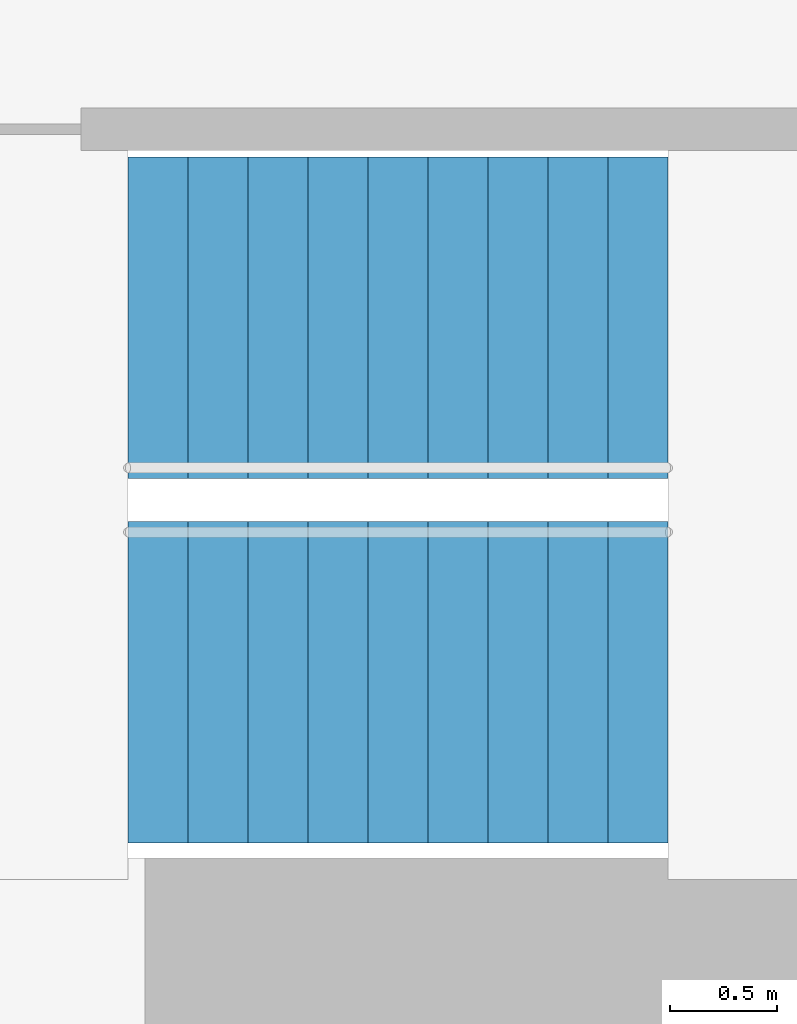
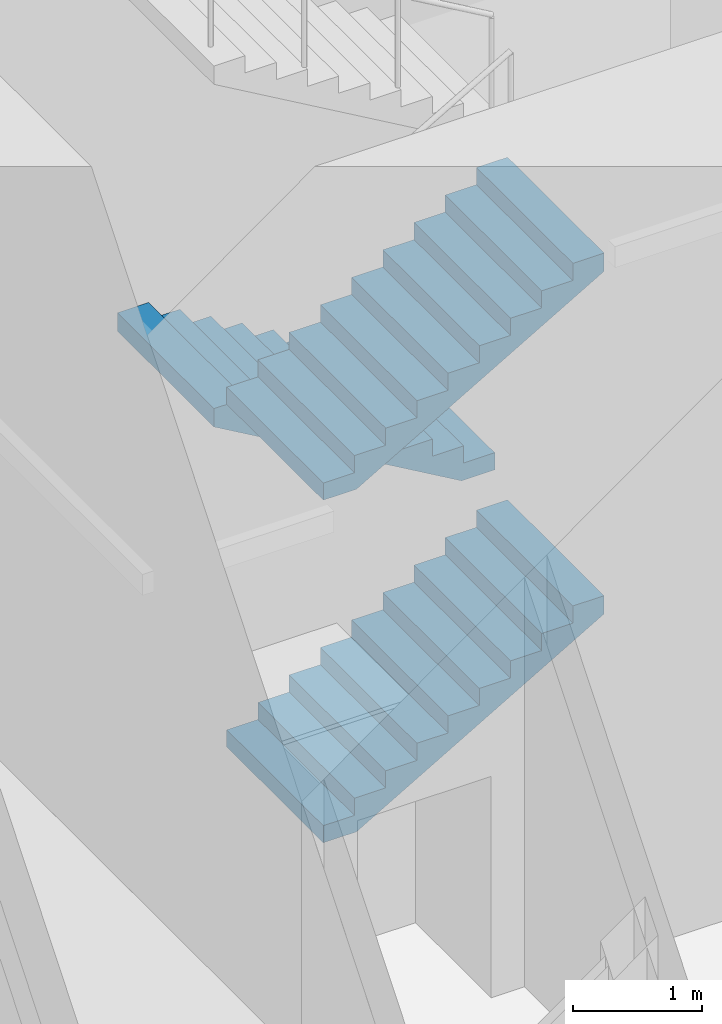
# One storey, part 26 of 47: 3 stair flights, 1 element without a shape of its own.
"""IFC4 building model written with IfcOpenShell, lengths in metres."""

from ifc_helpers import new_model, si_unit, direction, frame, origin, place, context, subcontext, project, spatial, triangles, material, type_object, element, aggregate, save


model = new_model("IFC4")

# Units and contexts
model_context = context("Model", 3, precision=1e-05, world=origin(), true_north=direction((0.0, 1.0)))
body_context = subcontext(model_context, "Body", "Model", "MODEL_VIEW")
ifc_project = project(units=[si_unit("LENGTHUNIT", "METRE"), si_unit("AREAUNIT", "SQUARE_METRE"), si_unit("VOLUMEUNIT", "CUBIC_METRE"), si_unit("PLANEANGLEUNIT", "RADIAN"), si_unit("MASSUNIT", "GRAM", prefix="KILO")], contexts=[model_context])

# Site, building, storey
site_placement = place(None, origin())
site = spatial("IfcSite", under=ifc_project, at=site_placement, CompositionType="ELEMENT")
building_placement = place(site_placement, origin())
building = spatial("IfcBuilding", under=site, at=building_placement, Name="Lantaw Convention Tower", CompositionType="ELEMENT")
storey_placement = place(building_placement, origin())
storey = spatial("IfcBuildingStorey", under=building, at=storey_placement, Name="L00", CompositionType="ELEMENT", Elevation=0.0)

# Stair, stair flights
ifc_material = material(Name="Concrete C35/45", Category="concrete")
stair_type = type_object("IfcStairType", Name="Exit stair 1500 riser 162.5 in 4 flights", PredefinedType="HALF_TURN_STAIR", material=ifc_material)
stair_placement = place(storey_placement, origin())
stair = element("IfcStair", 1, at=stair_placement, inside=storey, type_object=stair_type, Name="Exit stair S1 L00", PredefinedType="HALF_TURN_STAIR")
stair_flight_type = type_object("IfcStairFlightType", Name="Stair flight 1500 riser 162.5", PredefinedType="STRAIGHT", material=ifc_material)
stair_flight_1_placement = place(storey_placement, frame((-10.580078125, -5.97998046875, 0.0), z_axis=(0.0, 0.0, 1.0), x_axis=(1.0, 0.0, 0.0)))
stair_flight_1 = element("IfcStairFlight", 2, at=stair_flight_1_placement, type_object=stair_flight_type, Name="S1 flight 1", NumberOfRisers=10, NumberOfTreads=9, PredefinedType="STRAIGHT", RiserHeight=0.1625, TreadLength=0.28, context=body_context, shape_type="Tessellation", body=[
    triangles([(0.0, 0.75, 0.0), (0.0, 0.75, 0.1625), (0.28, 0.75, 0.0), (0.28, 0.75, 0.1625), (0.28, 0.75, 0.325), (0.2986404620805123, 0.75, 0.0), (0.2986404620805123, 0.75, 0.325), (0.56, 0.75, 0.15168187468541697), (0.56, 0.75, 0.325), (0.56, 0.75, 0.48750000000000004), (0.8400000000000001, 0.75, 0.314181874685417), (0.8400000000000001, 0.75, 0.48750000000000004), (0.8400000000000001, 0.75, 0.65), (1.12, 0.75, 0.47668187468541695), (1.12, 0.75, 0.65), (1.12, 0.75, 0.8125), (1.4000000000000001, 0.75, 0.639181874685417), (1.4000000000000001, 0.75, 0.8125), (1.4000000000000001, 0.75, 0.9750000000000001), (1.6800000000000002, 0.75, 0.801681874685417), (1.6800000000000002, 0.75, 0.9750000000000001), (1.6800000000000002, 0.75, 1.1375), (1.9600000000000002, 0.75, 0.9641818746854169), (1.9600000000000002, 0.75, 1.1375), (1.9600000000000002, 0.75, 1.3), (2.24, 0.75, 1.126681874685417), (2.24, 0.75, 1.3), (2.24, 0.75, 1.4625000000000001), (2.5200000000000005, 0.75, 1.2891818746854171), (2.5200000000000005, 0.75, 1.4625000000000001), (0.0, -0.75, 0.0), (0.0, -0.75, 0.1625), (0.28, -0.75, 0.0), (0.28, -0.75, 0.1625), (0.28, -0.75, 0.325), (0.2986404620805123, -0.75, 0.0), (0.2986404620805123, -0.75, 0.325), (0.56, -0.75, 0.15168187468541697), (0.56, -0.75, 0.325), (0.56, -0.75, 0.48750000000000004), (0.8400000000000001, -0.75, 0.314181874685417), (0.8400000000000001, -0.75, 0.48750000000000004), (0.8400000000000001, -0.75, 0.65), (1.12, -0.75, 0.47668187468541695), (1.12, -0.75, 0.65), (1.12, -0.75, 0.8125), (1.4000000000000001, -0.75, 0.639181874685417), (1.4000000000000001, -0.75, 0.8125), (1.4000000000000001, -0.75, 0.9750000000000001), (1.6800000000000002, -0.75, 0.801681874685417), (1.6800000000000002, -0.75, 0.9750000000000001), (1.6800000000000002, -0.75, 1.1375), (1.9600000000000002, -0.75, 0.9641818746854169), (1.9600000000000002, -0.75, 1.1375), (1.9600000000000002, -0.75, 1.3), (2.24, -0.75, 1.126681874685417), (2.24, -0.75, 1.3), (2.24, -0.75, 1.4625000000000001), (2.5200000000000005, -0.75, 1.2891818746854171), (2.5200000000000005, -0.75, 1.4625000000000001), (0.0, 0.15000000000000002, 0.1625), (0.0, 0.15000000000000002, 0.0), (0.0, 0.0, 0.1625), (0.0, 0.0, 0.0), (0.0, -0.15000000000000002, 0.1625), (0.0, -0.15000000000000002, 0.0), (0.28, 0.15000000000000002, 0.325), (0.28, 0.15000000000000002, 0.1625), (0.28, 0.0, 0.325), (0.28, 0.0, 0.1625), (0.28, -0.15000000000000002, 0.325), (0.28, -0.15000000000000002, 0.1625), (0.56, 0.15000000000000002, 0.48750000000000004), (0.56, 0.15000000000000002, 0.325), (0.56, 0.0, 0.48750000000000004), (0.56, 0.0, 0.325), (0.56, -0.15000000000000002, 0.48750000000000004), (0.56, -0.15000000000000002, 0.325), (0.8400000000000001, 0.15000000000000002, 0.65), (0.8400000000000001, 0.15000000000000002, 0.48750000000000004), (0.8400000000000001, 0.0, 0.65), (0.8400000000000001, 0.0, 0.48750000000000004), (0.8400000000000001, -0.15000000000000002, 0.65), (0.8400000000000001, -0.15000000000000002, 0.48750000000000004), (1.12, 0.15000000000000002, 0.8125), (1.12, 0.15000000000000002, 0.65), (1.12, 0.0, 0.8125), (1.12, 0.0, 0.65), (1.12, -0.15000000000000002, 0.8125), (1.12, -0.15000000000000002, 0.65), (1.4000000000000001, 0.15000000000000002, 0.9750000000000001), (1.4000000000000001, 0.15000000000000002, 0.8125), (1.4000000000000001, 0.0, 0.9750000000000001), (1.4000000000000001, 0.0, 0.8125), (1.4000000000000001, -0.15000000000000002, 0.9750000000000001), (1.4000000000000001, -0.15000000000000002, 0.8125), (1.6800000000000002, 0.15000000000000002, 1.1375), (1.6800000000000002, 0.15000000000000002, 0.9750000000000001), (1.6800000000000002, 0.0, 1.1375), (1.6800000000000002, 0.0, 0.9750000000000001), (1.6800000000000002, -0.15000000000000002, 1.1375), (1.6800000000000002, -0.15000000000000002, 0.9750000000000001), (1.9600000000000002, 0.15000000000000002, 1.3), (1.9600000000000002, 0.15000000000000002, 1.1375), (1.9600000000000002, 0.0, 1.3), (1.9600000000000002, 0.0, 1.1375), (1.9600000000000002, -0.15000000000000002, 1.3), (1.9600000000000002, -0.15000000000000002, 1.1375), (2.24, 0.15000000000000002, 1.4625000000000001), (2.24, 0.15000000000000002, 1.3), (2.24, 0.0, 1.4625000000000001), (2.24, 0.0, 1.3), (2.24, -0.15000000000000002, 1.4625000000000001), (2.24, -0.15000000000000002, 1.3), (0.2986404620805123, 0.15000000000000002, 0.325), (0.2986404620805123, 0.0, 0.325), (0.2986404620805123, -0.15000000000000002, 0.325), (2.5200000000000005, 0.15000000000000002, 1.4625000000000001), (2.5200000000000005, 0.0, 1.4625000000000001), (2.5200000000000005, -0.15000000000000002, 1.4625000000000001), (2.5200000000000005, 0.15000000000000002, 1.2891818746854171), (2.5200000000000005, 0.0, 1.2891818746854171), (2.5200000000000005, -0.15000000000000002, 1.2891818746854171), (2.24, 0.15000000000000002, 1.126681874685417), (2.24, 0.0, 1.126681874685417), (2.24, -0.15000000000000002, 1.126681874685417), (1.9600000000000002, 0.15000000000000002, 0.9641818746854169), (1.9600000000000002, 0.0, 0.9641818746854169), (1.9600000000000002, -0.15000000000000002, 0.9641818746854169), (1.6800000000000002, 0.15000000000000002, 0.801681874685417), (1.6800000000000002, 0.0, 0.801681874685417), (1.6800000000000002, -0.15000000000000002, 0.801681874685417), (1.4000000000000001, 0.15000000000000002, 0.639181874685417), (1.4000000000000001, 0.0, 0.639181874685417), (1.4000000000000001, -0.15000000000000002, 0.639181874685417), (1.12, 0.15000000000000002, 0.47668187468541695), (1.12, 0.0, 0.47668187468541695), (1.12, -0.15000000000000002, 0.47668187468541695), (0.8400000000000001, 0.15000000000000002, 0.314181874685417), (0.8400000000000001, 0.0, 0.314181874685417), (0.8400000000000001, -0.15000000000000002, 0.314181874685417), (0.56, 0.15000000000000002, 0.15168187468541697), (0.56, 0.0, 0.15168187468541697), (0.56, -0.15000000000000002, 0.15168187468541697), (0.2986404620805123, 0.15000000000000002, 0.0), (0.2986404620805123, 0.0, 0.0), (0.2986404620805123, -0.15000000000000002, 0.0), (0.28, 0.15000000000000002, 0.0), (0.28, 0.0, 0.0), (0.28, -0.15000000000000002, 0.0)], [[1, 4, 3], [1, 2, 4], [3, 4, 6], [4, 7, 6], [4, 5, 7], [6, 9, 8], [6, 7, 9], [8, 9, 11], [9, 12, 11], [9, 10, 12], [11, 12, 14], [12, 15, 14], [12, 13, 15], [14, 15, 17], [15, 18, 17], [15, 16, 18], [17, 18, 20], [18, 21, 20], [18, 19, 21], [20, 21, 23], [21, 24, 23], [21, 22, 24], [23, 24, 26], [24, 27, 26], [24, 25, 27], [26, 27, 29], [27, 30, 29], [27, 28, 30], [31, 33, 34], [31, 34, 32], [33, 36, 34], [34, 36, 37], [34, 37, 35], [36, 38, 39], [36, 39, 37], [38, 41, 39], [39, 41, 42], [39, 42, 40], [41, 44, 42], [42, 44, 45], [42, 45, 43], [44, 47, 45], [45, 47, 48], [45, 48, 46], [47, 50, 48], [48, 50, 51], [48, 51, 49], [50, 53, 51], [51, 53, 54], [51, 54, 52], [53, 56, 54], [54, 56, 57], [54, 57, 55], [56, 59, 57], [57, 59, 60], [57, 60, 58], [1, 61, 2], [1, 62, 61], [62, 63, 61], [62, 64, 63], [64, 65, 63], [64, 66, 65], [66, 32, 65], [66, 31, 32], [4, 67, 5], [4, 68, 67], [68, 69, 67], [68, 70, 69], [70, 71, 69], [70, 72, 71], [72, 35, 71], [72, 34, 35], [9, 73, 10], [9, 74, 73], [74, 75, 73], [74, 76, 75], [76, 77, 75], [76, 78, 77], [78, 40, 77], [78, 39, 40], [12, 79, 13], [12, 80, 79], [80, 81, 79], [80, 82, 81], [82, 83, 81], [82, 84, 83], [84, 43, 83], [84, 42, 43], [15, 85, 16], [15, 86, 85], [86, 87, 85], [86, 88, 87], [88, 89, 87], [88, 90, 89], [90, 46, 89], [90, 45, 46], [18, 91, 19], [18, 92, 91], [92, 93, 91], [92, 94, 93], [94, 95, 93], [94, 96, 95], [96, 49, 95], [96, 48, 49], [21, 97, 22], [21, 98, 97], [98, 99, 97], [98, 100, 99], [100, 101, 99], [100, 102, 101], [102, 52, 101], [102, 51, 52], [24, 103, 25], [24, 104, 103], [104, 105, 103], [104, 106, 105], [106, 107, 105], [106, 108, 107], [108, 55, 107], [108, 54, 55], [27, 109, 28], [27, 110, 109], [110, 111, 109], [110, 112, 111], [112, 113, 111], [112, 114, 113], [114, 58, 113], [114, 57, 58], [2, 68, 4], [2, 61, 68], [61, 70, 68], [61, 63, 70], [63, 72, 70], [63, 65, 72], [65, 34, 72], [65, 32, 34], [5, 115, 7], [5, 67, 115], [67, 116, 115], [67, 69, 116], [69, 117, 116], [69, 71, 117], [71, 37, 117], [71, 35, 37], [7, 74, 9], [7, 115, 74], [115, 76, 74], [115, 116, 76], [116, 78, 76], [116, 117, 78], [117, 39, 78], [117, 37, 39], [10, 80, 12], [10, 73, 80], [73, 82, 80], [73, 75, 82], [75, 84, 82], [75, 77, 84], [77, 42, 84], [77, 40, 42], [13, 86, 15], [13, 79, 86], [79, 88, 86], [79, 81, 88], [81, 90, 88], [81, 83, 90], [83, 45, 90], [83, 43, 45], [16, 92, 18], [16, 85, 92], [85, 94, 92], [85, 87, 94], [87, 96, 94], [87, 89, 96], [89, 48, 96], [89, 46, 48], [19, 98, 21], [19, 91, 98], [91, 100, 98], [91, 93, 100], [93, 102, 100], [93, 95, 102], [95, 51, 102], [95, 49, 51], [22, 104, 24], [22, 97, 104], [97, 106, 104], [97, 99, 106], [99, 108, 106], [99, 101, 108], [101, 54, 108], [101, 52, 54], [25, 110, 27], [25, 103, 110], [103, 112, 110], [103, 105, 112], [105, 114, 112], [105, 107, 114], [107, 57, 114], [107, 55, 57], [28, 118, 30], [28, 109, 118], [109, 119, 118], [109, 111, 119], [111, 120, 119], [111, 113, 120], [113, 60, 120], [113, 58, 60], [30, 121, 29], [30, 118, 121], [118, 122, 121], [118, 119, 122], [119, 123, 122], [119, 120, 123], [120, 59, 123], [120, 60, 59], [29, 124, 26], [29, 121, 124], [121, 125, 124], [121, 122, 125], [122, 126, 125], [122, 123, 126], [123, 56, 126], [123, 59, 56], [26, 127, 23], [26, 124, 127], [124, 128, 127], [124, 125, 128], [125, 129, 128], [125, 126, 129], [126, 53, 129], [126, 56, 53], [23, 130, 20], [23, 127, 130], [127, 131, 130], [127, 128, 131], [128, 132, 131], [128, 129, 132], [129, 50, 132], [129, 53, 50], [20, 133, 17], [20, 130, 133], [130, 134, 133], [130, 131, 134], [131, 135, 134], [131, 132, 135], [132, 47, 135], [132, 50, 47], [17, 136, 14], [17, 133, 136], [133, 137, 136], [133, 134, 137], [134, 138, 137], [134, 135, 138], [135, 44, 138], [135, 47, 44], [14, 139, 11], [14, 136, 139], [136, 140, 139], [136, 137, 140], [137, 141, 140], [137, 138, 141], [138, 41, 141], [138, 44, 41], [11, 142, 8], [11, 139, 142], [139, 143, 142], [139, 140, 143], [140, 144, 143], [140, 141, 144], [141, 38, 144], [141, 41, 38], [8, 145, 6], [8, 142, 145], [142, 146, 145], [142, 143, 146], [143, 147, 146], [143, 144, 147], [144, 36, 147], [144, 38, 36], [6, 148, 3], [6, 145, 148], [145, 149, 148], [145, 146, 149], [146, 150, 149], [146, 147, 150], [147, 33, 150], [147, 36, 33], [3, 62, 1], [3, 148, 62], [148, 64, 62], [148, 149, 64], [149, 66, 64], [149, 150, 66], [150, 31, 66], [150, 33, 31]], closed=True),
])
stair_flight_2_placement = place(storey_placement, frame((-8.06005859375, -4.280029296875, 1.625), z_axis=(0.0, 0.0, 1.0), x_axis=(-1.0, 0.0, 0.0)))
stair_flight_2 = element("IfcStairFlight", 3, at=stair_flight_2_placement, type_object=stair_flight_type, Name="S1 flight 2", NumberOfRisers=10, NumberOfTreads=9, PredefinedType="STRAIGHT", RiserHeight=0.1625, TreadLength=0.28, context=body_context, shape_type="Tessellation", body=[
    triangles([(0.0, 0.75, 0.0), (0.0, 0.75, 0.1625), (0.28, 0.75, 0.0), (0.28, 0.75, 0.1625), (0.28, 0.75, 0.325), (0.2986404620805123, 0.75, 0.0), (0.2986404620805123, 0.75, 0.325), (0.56, 0.75, 0.15168187468541697), (0.56, 0.75, 0.325), (0.56, 0.75, 0.48750000000000004), (0.8400000000000001, 0.75, 0.314181874685417), (0.8400000000000001, 0.75, 0.48750000000000004), (0.8400000000000001, 0.75, 0.65), (1.12, 0.75, 0.47668187468541695), (1.12, 0.75, 0.65), (1.12, 0.75, 0.8125), (1.4000000000000001, 0.75, 0.639181874685417), (1.4000000000000001, 0.75, 0.8125), (1.4000000000000001, 0.75, 0.9750000000000001), (1.6800000000000002, 0.75, 0.801681874685417), (1.6800000000000002, 0.75, 0.9750000000000001), (1.6800000000000002, 0.75, 1.1375), (1.9600000000000002, 0.75, 0.9641818746854169), (1.9600000000000002, 0.75, 1.1375), (1.9600000000000002, 0.75, 1.3), (2.24, 0.75, 1.126681874685417), (2.24, 0.75, 1.3), (2.24, 0.75, 1.4625000000000001), (2.5200000000000005, 0.75, 1.2891818746854171), (2.5200000000000005, 0.75, 1.4625000000000001), (0.0, -0.75, 0.0), (0.0, -0.75, 0.1625), (0.28, -0.75, 0.0), (0.28, -0.75, 0.1625), (0.28, -0.75, 0.325), (0.2986404620805123, -0.75, 0.0), (0.2986404620805123, -0.75, 0.325), (0.56, -0.75, 0.15168187468541697), (0.56, -0.75, 0.325), (0.56, -0.75, 0.48750000000000004), (0.8400000000000001, -0.75, 0.314181874685417), (0.8400000000000001, -0.75, 0.48750000000000004), (0.8400000000000001, -0.75, 0.65), (1.12, -0.75, 0.47668187468541695), (1.12, -0.75, 0.65), (1.12, -0.75, 0.8125), (1.4000000000000001, -0.75, 0.639181874685417), (1.4000000000000001, -0.75, 0.8125), (1.4000000000000001, -0.75, 0.9750000000000001), (1.6800000000000002, -0.75, 0.801681874685417), (1.6800000000000002, -0.75, 0.9750000000000001), (1.6800000000000002, -0.75, 1.1375), (1.9600000000000002, -0.75, 0.9641818746854169), (1.9600000000000002, -0.75, 1.1375), (1.9600000000000002, -0.75, 1.3), (2.24, -0.75, 1.126681874685417), (2.24, -0.75, 1.3), (2.24, -0.75, 1.4625000000000001), (2.5200000000000005, -0.75, 1.2891818746854171), (2.5200000000000005, -0.75, 1.4625000000000001), (0.0, 0.15000000000000002, 0.1625), (0.0, 0.15000000000000002, 0.0), (0.0, 0.0, 0.1625), (0.0, 0.0, 0.0), (0.0, -0.15000000000000002, 0.1625), (0.0, -0.15000000000000002, 0.0), (0.28, 0.15000000000000002, 0.325), (0.28, 0.15000000000000002, 0.1625), (0.28, 0.0, 0.325), (0.28, 0.0, 0.1625), (0.28, -0.15000000000000002, 0.325), (0.28, -0.15000000000000002, 0.1625), (0.56, 0.15000000000000002, 0.48750000000000004), (0.56, 0.15000000000000002, 0.325), (0.56, 0.0, 0.48750000000000004), (0.56, 0.0, 0.325), (0.56, -0.15000000000000002, 0.48750000000000004), (0.56, -0.15000000000000002, 0.325), (0.8400000000000001, 0.15000000000000002, 0.65), (0.8400000000000001, 0.15000000000000002, 0.48750000000000004), (0.8400000000000001, 0.0, 0.65), (0.8400000000000001, 0.0, 0.48750000000000004), (0.8400000000000001, -0.15000000000000002, 0.65), (0.8400000000000001, -0.15000000000000002, 0.48750000000000004), (1.12, 0.15000000000000002, 0.8125), (1.12, 0.15000000000000002, 0.65), (1.12, 0.0, 0.8125), (1.12, 0.0, 0.65), (1.12, -0.15000000000000002, 0.8125), (1.12, -0.15000000000000002, 0.65), (1.4000000000000001, 0.15000000000000002, 0.9750000000000001), (1.4000000000000001, 0.15000000000000002, 0.8125), (1.4000000000000001, 0.0, 0.9750000000000001), (1.4000000000000001, 0.0, 0.8125), (1.4000000000000001, -0.15000000000000002, 0.9750000000000001), (1.4000000000000001, -0.15000000000000002, 0.8125), (1.6800000000000002, 0.15000000000000002, 1.1375), (1.6800000000000002, 0.15000000000000002, 0.9750000000000001), (1.6800000000000002, 0.0, 1.1375), (1.6800000000000002, 0.0, 0.9750000000000001), (1.6800000000000002, -0.15000000000000002, 1.1375), (1.6800000000000002, -0.15000000000000002, 0.9750000000000001), (1.9600000000000002, 0.15000000000000002, 1.3), (1.9600000000000002, 0.15000000000000002, 1.1375), (1.9600000000000002, 0.0, 1.3), (1.9600000000000002, 0.0, 1.1375), (1.9600000000000002, -0.15000000000000002, 1.3), (1.9600000000000002, -0.15000000000000002, 1.1375), (2.24, 0.15000000000000002, 1.4625000000000001), (2.24, 0.15000000000000002, 1.3), (2.24, 0.0, 1.4625000000000001), (2.24, 0.0, 1.3), (2.24, -0.15000000000000002, 1.4625000000000001), (2.24, -0.15000000000000002, 1.3), (0.2986404620805123, 0.15000000000000002, 0.325), (0.2986404620805123, 0.0, 0.325), (0.2986404620805123, -0.15000000000000002, 0.325), (2.5200000000000005, 0.15000000000000002, 1.4625000000000001), (2.5200000000000005, 0.0, 1.4625000000000001), (2.5200000000000005, -0.15000000000000002, 1.4625000000000001), (2.5200000000000005, 0.15000000000000002, 1.2891818746854171), (2.5200000000000005, 0.0, 1.2891818746854171), (2.5200000000000005, -0.15000000000000002, 1.2891818746854171), (2.24, 0.15000000000000002, 1.126681874685417), (2.24, 0.0, 1.126681874685417), (2.24, -0.15000000000000002, 1.126681874685417), (1.9600000000000002, 0.15000000000000002, 0.9641818746854169), (1.9600000000000002, 0.0, 0.9641818746854169), (1.9600000000000002, -0.15000000000000002, 0.9641818746854169), (1.6800000000000002, 0.15000000000000002, 0.801681874685417), (1.6800000000000002, 0.0, 0.801681874685417), (1.6800000000000002, -0.15000000000000002, 0.801681874685417), (1.4000000000000001, 0.15000000000000002, 0.639181874685417), (1.4000000000000001, 0.0, 0.639181874685417), (1.4000000000000001, -0.15000000000000002, 0.639181874685417), (1.12, 0.15000000000000002, 0.47668187468541695), (1.12, 0.0, 0.47668187468541695), (1.12, -0.15000000000000002, 0.47668187468541695), (0.8400000000000001, 0.15000000000000002, 0.314181874685417), (0.8400000000000001, 0.0, 0.314181874685417), (0.8400000000000001, -0.15000000000000002, 0.314181874685417), (0.56, 0.15000000000000002, 0.15168187468541697), (0.56, 0.0, 0.15168187468541697), (0.56, -0.15000000000000002, 0.15168187468541697), (0.2986404620805123, 0.15000000000000002, 0.0), (0.2986404620805123, 0.0, 0.0), (0.2986404620805123, -0.15000000000000002, 0.0), (0.28, 0.15000000000000002, 0.0), (0.28, 0.0, 0.0), (0.28, -0.15000000000000002, 0.0)], [[1, 4, 3], [1, 2, 4], [3, 4, 6], [4, 7, 6], [4, 5, 7], [6, 9, 8], [6, 7, 9], [8, 9, 11], [9, 12, 11], [9, 10, 12], [11, 12, 14], [12, 15, 14], [12, 13, 15], [14, 15, 17], [15, 18, 17], [15, 16, 18], [17, 18, 20], [18, 21, 20], [18, 19, 21], [20, 21, 23], [21, 24, 23], [21, 22, 24], [23, 24, 26], [24, 27, 26], [24, 25, 27], [26, 27, 29], [27, 30, 29], [27, 28, 30], [31, 33, 34], [31, 34, 32], [33, 36, 34], [34, 36, 37], [34, 37, 35], [36, 38, 39], [36, 39, 37], [38, 41, 39], [39, 41, 42], [39, 42, 40], [41, 44, 42], [42, 44, 45], [42, 45, 43], [44, 47, 45], [45, 47, 48], [45, 48, 46], [47, 50, 48], [48, 50, 51], [48, 51, 49], [50, 53, 51], [51, 53, 54], [51, 54, 52], [53, 56, 54], [54, 56, 57], [54, 57, 55], [56, 59, 57], [57, 59, 60], [57, 60, 58], [1, 61, 2], [1, 62, 61], [62, 63, 61], [62, 64, 63], [64, 65, 63], [64, 66, 65], [66, 32, 65], [66, 31, 32], [4, 67, 5], [4, 68, 67], [68, 69, 67], [68, 70, 69], [70, 71, 69], [70, 72, 71], [72, 35, 71], [72, 34, 35], [9, 73, 10], [9, 74, 73], [74, 75, 73], [74, 76, 75], [76, 77, 75], [76, 78, 77], [78, 40, 77], [78, 39, 40], [12, 79, 13], [12, 80, 79], [80, 81, 79], [80, 82, 81], [82, 83, 81], [82, 84, 83], [84, 43, 83], [84, 42, 43], [15, 85, 16], [15, 86, 85], [86, 87, 85], [86, 88, 87], [88, 89, 87], [88, 90, 89], [90, 46, 89], [90, 45, 46], [18, 91, 19], [18, 92, 91], [92, 93, 91], [92, 94, 93], [94, 95, 93], [94, 96, 95], [96, 49, 95], [96, 48, 49], [21, 97, 22], [21, 98, 97], [98, 99, 97], [98, 100, 99], [100, 101, 99], [100, 102, 101], [102, 52, 101], [102, 51, 52], [24, 103, 25], [24, 104, 103], [104, 105, 103], [104, 106, 105], [106, 107, 105], [106, 108, 107], [108, 55, 107], [108, 54, 55], [27, 109, 28], [27, 110, 109], [110, 111, 109], [110, 112, 111], [112, 113, 111], [112, 114, 113], [114, 58, 113], [114, 57, 58], [2, 68, 4], [2, 61, 68], [61, 70, 68], [61, 63, 70], [63, 72, 70], [63, 65, 72], [65, 34, 72], [65, 32, 34], [5, 115, 7], [5, 67, 115], [67, 116, 115], [67, 69, 116], [69, 117, 116], [69, 71, 117], [71, 37, 117], [71, 35, 37], [7, 74, 9], [7, 115, 74], [115, 76, 74], [115, 116, 76], [116, 78, 76], [116, 117, 78], [117, 39, 78], [117, 37, 39], [10, 80, 12], [10, 73, 80], [73, 82, 80], [73, 75, 82], [75, 84, 82], [75, 77, 84], [77, 42, 84], [77, 40, 42], [13, 86, 15], [13, 79, 86], [79, 88, 86], [79, 81, 88], [81, 90, 88], [81, 83, 90], [83, 45, 90], [83, 43, 45], [16, 92, 18], [16, 85, 92], [85, 94, 92], [85, 87, 94], [87, 96, 94], [87, 89, 96], [89, 48, 96], [89, 46, 48], [19, 98, 21], [19, 91, 98], [91, 100, 98], [91, 93, 100], [93, 102, 100], [93, 95, 102], [95, 51, 102], [95, 49, 51], [22, 104, 24], [22, 97, 104], [97, 106, 104], [97, 99, 106], [99, 108, 106], [99, 101, 108], [101, 54, 108], [101, 52, 54], [25, 110, 27], [25, 103, 110], [103, 112, 110], [103, 105, 112], [105, 114, 112], [105, 107, 114], [107, 57, 114], [107, 55, 57], [28, 118, 30], [28, 109, 118], [109, 119, 118], [109, 111, 119], [111, 120, 119], [111, 113, 120], [113, 60, 120], [113, 58, 60], [30, 121, 29], [30, 118, 121], [118, 122, 121], [118, 119, 122], [119, 123, 122], [119, 120, 123], [120, 59, 123], [120, 60, 59], [29, 124, 26], [29, 121, 124], [121, 125, 124], [121, 122, 125], [122, 126, 125], [122, 123, 126], [123, 56, 126], [123, 59, 56], [26, 127, 23], [26, 124, 127], [124, 128, 127], [124, 125, 128], [125, 129, 128], [125, 126, 129], [126, 53, 129], [126, 56, 53], [23, 130, 20], [23, 127, 130], [127, 131, 130], [127, 128, 131], [128, 132, 131], [128, 129, 132], [129, 50, 132], [129, 53, 50], [20, 133, 17], [20, 130, 133], [130, 134, 133], [130, 131, 134], [131, 135, 134], [131, 132, 135], [132, 47, 135], [132, 50, 47], [17, 136, 14], [17, 133, 136], [133, 137, 136], [133, 134, 137], [134, 138, 137], [134, 135, 138], [135, 44, 138], [135, 47, 44], [14, 139, 11], [14, 136, 139], [136, 140, 139], [136, 137, 140], [137, 141, 140], [137, 138, 141], [138, 41, 141], [138, 44, 41], [11, 142, 8], [11, 139, 142], [139, 143, 142], [139, 140, 143], [140, 144, 143], [140, 141, 144], [141, 38, 144], [141, 41, 38], [8, 145, 6], [8, 142, 145], [142, 146, 145], [142, 143, 146], [143, 147, 146], [143, 144, 147], [144, 36, 147], [144, 38, 36], [6, 148, 3], [6, 145, 148], [145, 149, 148], [145, 146, 149], [146, 150, 149], [146, 147, 150], [147, 33, 150], [147, 36, 33], [3, 62, 1], [3, 148, 62], [148, 64, 62], [148, 149, 64], [149, 66, 64], [149, 150, 66], [150, 31, 66], [150, 33, 31]], closed=True),
])
stair_flight_3_placement = place(storey_placement, frame((-10.580078125, -5.97998046875, 3.25), z_axis=(0.0, 0.0, 1.0), x_axis=(1.0, 0.0, 0.0)))
stair_flight_3 = element("IfcStairFlight", 4, at=stair_flight_3_placement, type_object=stair_flight_type, Name="S1 flight 3", NumberOfRisers=10, NumberOfTreads=9, PredefinedType="STRAIGHT", RiserHeight=0.1625, TreadLength=0.28, context=body_context, shape_type="Tessellation", body=[
    triangles([(0.0, 0.75, 0.0), (0.0, 0.75, 0.1625), (0.28, 0.75, 0.0), (0.28, 0.75, 0.1625), (0.28, 0.75, 0.325), (0.2986404620805123, 0.75, 0.0), (0.2986404620805123, 0.75, 0.325), (0.56, 0.75, 0.15168187468541697), (0.56, 0.75, 0.325), (0.56, 0.75, 0.48750000000000004), (0.8400000000000001, 0.75, 0.314181874685417), (0.8400000000000001, 0.75, 0.48750000000000004), (0.8400000000000001, 0.75, 0.65), (1.12, 0.75, 0.47668187468541695), (1.12, 0.75, 0.65), (1.12, 0.75, 0.8125), (1.4000000000000001, 0.75, 0.639181874685417), (1.4000000000000001, 0.75, 0.8125), (1.4000000000000001, 0.75, 0.9750000000000001), (1.6800000000000002, 0.75, 0.801681874685417), (1.6800000000000002, 0.75, 0.9750000000000001), (1.6800000000000002, 0.75, 1.1375), (1.9600000000000002, 0.75, 0.9641818746854169), (1.9600000000000002, 0.75, 1.1375), (1.9600000000000002, 0.75, 1.3), (2.24, 0.75, 1.126681874685417), (2.24, 0.75, 1.3), (2.24, 0.75, 1.4625000000000001), (2.5200000000000005, 0.75, 1.2891818746854171), (2.5200000000000005, 0.75, 1.4625000000000001), (0.0, -0.75, 0.0), (0.0, -0.75, 0.1625), (0.28, -0.75, 0.0), (0.28, -0.75, 0.1625), (0.28, -0.75, 0.325), (0.2986404620805123, -0.75, 0.0), (0.2986404620805123, -0.75, 0.325), (0.56, -0.75, 0.15168187468541697), (0.56, -0.75, 0.325), (0.56, -0.75, 0.48750000000000004), (0.8400000000000001, -0.75, 0.314181874685417), (0.8400000000000001, -0.75, 0.48750000000000004), (0.8400000000000001, -0.75, 0.65), (1.12, -0.75, 0.47668187468541695), (1.12, -0.75, 0.65), (1.12, -0.75, 0.8125), (1.4000000000000001, -0.75, 0.639181874685417), (1.4000000000000001, -0.75, 0.8125), (1.4000000000000001, -0.75, 0.9750000000000001), (1.6800000000000002, -0.75, 0.801681874685417), (1.6800000000000002, -0.75, 0.9750000000000001), (1.6800000000000002, -0.75, 1.1375), (1.9600000000000002, -0.75, 0.9641818746854169), (1.9600000000000002, -0.75, 1.1375), (1.9600000000000002, -0.75, 1.3), (2.24, -0.75, 1.126681874685417), (2.24, -0.75, 1.3), (2.24, -0.75, 1.4625000000000001), (2.5200000000000005, -0.75, 1.2891818746854171), (2.5200000000000005, -0.75, 1.4625000000000001), (0.0, 0.15000000000000002, 0.1625), (0.0, 0.15000000000000002, 0.0), (0.0, 0.0, 0.1625), (0.0, 0.0, 0.0), (0.0, -0.15000000000000002, 0.1625), (0.0, -0.15000000000000002, 0.0), (0.28, 0.15000000000000002, 0.325), (0.28, 0.15000000000000002, 0.1625), (0.28, 0.0, 0.325), (0.28, 0.0, 0.1625), (0.28, -0.15000000000000002, 0.325), (0.28, -0.15000000000000002, 0.1625), (0.56, 0.15000000000000002, 0.48750000000000004), (0.56, 0.15000000000000002, 0.325), (0.56, 0.0, 0.48750000000000004), (0.56, 0.0, 0.325), (0.56, -0.15000000000000002, 0.48750000000000004), (0.56, -0.15000000000000002, 0.325), (0.8400000000000001, 0.15000000000000002, 0.65), (0.8400000000000001, 0.15000000000000002, 0.48750000000000004), (0.8400000000000001, 0.0, 0.65), (0.8400000000000001, 0.0, 0.48750000000000004), (0.8400000000000001, -0.15000000000000002, 0.65), (0.8400000000000001, -0.15000000000000002, 0.48750000000000004), (1.12, 0.15000000000000002, 0.8125), (1.12, 0.15000000000000002, 0.65), (1.12, 0.0, 0.8125), (1.12, 0.0, 0.65), (1.12, -0.15000000000000002, 0.8125), (1.12, -0.15000000000000002, 0.65), (1.4000000000000001, 0.15000000000000002, 0.9750000000000001), (1.4000000000000001, 0.15000000000000002, 0.8125), (1.4000000000000001, 0.0, 0.9750000000000001), (1.4000000000000001, 0.0, 0.8125), (1.4000000000000001, -0.15000000000000002, 0.9750000000000001), (1.4000000000000001, -0.15000000000000002, 0.8125), (1.6800000000000002, 0.15000000000000002, 1.1375), (1.6800000000000002, 0.15000000000000002, 0.9750000000000001), (1.6800000000000002, 0.0, 1.1375), (1.6800000000000002, 0.0, 0.9750000000000001), (1.6800000000000002, -0.15000000000000002, 1.1375), (1.6800000000000002, -0.15000000000000002, 0.9750000000000001), (1.9600000000000002, 0.15000000000000002, 1.3), (1.9600000000000002, 0.15000000000000002, 1.1375), (1.9600000000000002, 0.0, 1.3), (1.9600000000000002, 0.0, 1.1375), (1.9600000000000002, -0.15000000000000002, 1.3), (1.9600000000000002, -0.15000000000000002, 1.1375), (2.24, 0.15000000000000002, 1.4625000000000001), (2.24, 0.15000000000000002, 1.3), (2.24, 0.0, 1.4625000000000001), (2.24, 0.0, 1.3), (2.24, -0.15000000000000002, 1.4625000000000001), (2.24, -0.15000000000000002, 1.3), (0.2986404620805123, 0.15000000000000002, 0.325), (0.2986404620805123, 0.0, 0.325), (0.2986404620805123, -0.15000000000000002, 0.325), (2.5200000000000005, 0.15000000000000002, 1.4625000000000001), (2.5200000000000005, 0.0, 1.4625000000000001), (2.5200000000000005, -0.15000000000000002, 1.4625000000000001), (2.5200000000000005, 0.15000000000000002, 1.2891818746854171), (2.5200000000000005, 0.0, 1.2891818746854171), (2.5200000000000005, -0.15000000000000002, 1.2891818746854171), (2.24, 0.15000000000000002, 1.126681874685417), (2.24, 0.0, 1.126681874685417), (2.24, -0.15000000000000002, 1.126681874685417), (1.9600000000000002, 0.15000000000000002, 0.9641818746854169), (1.9600000000000002, 0.0, 0.9641818746854169), (1.9600000000000002, -0.15000000000000002, 0.9641818746854169), (1.6800000000000002, 0.15000000000000002, 0.801681874685417), (1.6800000000000002, 0.0, 0.801681874685417), (1.6800000000000002, -0.15000000000000002, 0.801681874685417), (1.4000000000000001, 0.15000000000000002, 0.639181874685417), (1.4000000000000001, 0.0, 0.639181874685417), (1.4000000000000001, -0.15000000000000002, 0.639181874685417), (1.12, 0.15000000000000002, 0.47668187468541695), (1.12, 0.0, 0.47668187468541695), (1.12, -0.15000000000000002, 0.47668187468541695), (0.8400000000000001, 0.15000000000000002, 0.314181874685417), (0.8400000000000001, 0.0, 0.314181874685417), (0.8400000000000001, -0.15000000000000002, 0.314181874685417), (0.56, 0.15000000000000002, 0.15168187468541697), (0.56, 0.0, 0.15168187468541697), (0.56, -0.15000000000000002, 0.15168187468541697), (0.2986404620805123, 0.15000000000000002, 0.0), (0.2986404620805123, 0.0, 0.0), (0.2986404620805123, -0.15000000000000002, 0.0), (0.28, 0.15000000000000002, 0.0), (0.28, 0.0, 0.0), (0.28, -0.15000000000000002, 0.0)], [[1, 4, 3], [1, 2, 4], [3, 4, 6], [4, 7, 6], [4, 5, 7], [6, 9, 8], [6, 7, 9], [8, 9, 11], [9, 12, 11], [9, 10, 12], [11, 12, 14], [12, 15, 14], [12, 13, 15], [14, 15, 17], [15, 18, 17], [15, 16, 18], [17, 18, 20], [18, 21, 20], [18, 19, 21], [20, 21, 23], [21, 24, 23], [21, 22, 24], [23, 24, 26], [24, 27, 26], [24, 25, 27], [26, 27, 29], [27, 30, 29], [27, 28, 30], [31, 33, 34], [31, 34, 32], [33, 36, 34], [34, 36, 37], [34, 37, 35], [36, 38, 39], [36, 39, 37], [38, 41, 39], [39, 41, 42], [39, 42, 40], [41, 44, 42], [42, 44, 45], [42, 45, 43], [44, 47, 45], [45, 47, 48], [45, 48, 46], [47, 50, 48], [48, 50, 51], [48, 51, 49], [50, 53, 51], [51, 53, 54], [51, 54, 52], [53, 56, 54], [54, 56, 57], [54, 57, 55], [56, 59, 57], [57, 59, 60], [57, 60, 58], [1, 61, 2], [1, 62, 61], [62, 63, 61], [62, 64, 63], [64, 65, 63], [64, 66, 65], [66, 32, 65], [66, 31, 32], [4, 67, 5], [4, 68, 67], [68, 69, 67], [68, 70, 69], [70, 71, 69], [70, 72, 71], [72, 35, 71], [72, 34, 35], [9, 73, 10], [9, 74, 73], [74, 75, 73], [74, 76, 75], [76, 77, 75], [76, 78, 77], [78, 40, 77], [78, 39, 40], [12, 79, 13], [12, 80, 79], [80, 81, 79], [80, 82, 81], [82, 83, 81], [82, 84, 83], [84, 43, 83], [84, 42, 43], [15, 85, 16], [15, 86, 85], [86, 87, 85], [86, 88, 87], [88, 89, 87], [88, 90, 89], [90, 46, 89], [90, 45, 46], [18, 91, 19], [18, 92, 91], [92, 93, 91], [92, 94, 93], [94, 95, 93], [94, 96, 95], [96, 49, 95], [96, 48, 49], [21, 97, 22], [21, 98, 97], [98, 99, 97], [98, 100, 99], [100, 101, 99], [100, 102, 101], [102, 52, 101], [102, 51, 52], [24, 103, 25], [24, 104, 103], [104, 105, 103], [104, 106, 105], [106, 107, 105], [106, 108, 107], [108, 55, 107], [108, 54, 55], [27, 109, 28], [27, 110, 109], [110, 111, 109], [110, 112, 111], [112, 113, 111], [112, 114, 113], [114, 58, 113], [114, 57, 58], [2, 68, 4], [2, 61, 68], [61, 70, 68], [61, 63, 70], [63, 72, 70], [63, 65, 72], [65, 34, 72], [65, 32, 34], [5, 115, 7], [5, 67, 115], [67, 116, 115], [67, 69, 116], [69, 117, 116], [69, 71, 117], [71, 37, 117], [71, 35, 37], [7, 74, 9], [7, 115, 74], [115, 76, 74], [115, 116, 76], [116, 78, 76], [116, 117, 78], [117, 39, 78], [117, 37, 39], [10, 80, 12], [10, 73, 80], [73, 82, 80], [73, 75, 82], [75, 84, 82], [75, 77, 84], [77, 42, 84], [77, 40, 42], [13, 86, 15], [13, 79, 86], [79, 88, 86], [79, 81, 88], [81, 90, 88], [81, 83, 90], [83, 45, 90], [83, 43, 45], [16, 92, 18], [16, 85, 92], [85, 94, 92], [85, 87, 94], [87, 96, 94], [87, 89, 96], [89, 48, 96], [89, 46, 48], [19, 98, 21], [19, 91, 98], [91, 100, 98], [91, 93, 100], [93, 102, 100], [93, 95, 102], [95, 51, 102], [95, 49, 51], [22, 104, 24], [22, 97, 104], [97, 106, 104], [97, 99, 106], [99, 108, 106], [99, 101, 108], [101, 54, 108], [101, 52, 54], [25, 110, 27], [25, 103, 110], [103, 112, 110], [103, 105, 112], [105, 114, 112], [105, 107, 114], [107, 57, 114], [107, 55, 57], [28, 118, 30], [28, 109, 118], [109, 119, 118], [109, 111, 119], [111, 120, 119], [111, 113, 120], [113, 60, 120], [113, 58, 60], [30, 121, 29], [30, 118, 121], [118, 122, 121], [118, 119, 122], [119, 123, 122], [119, 120, 123], [120, 59, 123], [120, 60, 59], [29, 124, 26], [29, 121, 124], [121, 125, 124], [121, 122, 125], [122, 126, 125], [122, 123, 126], [123, 56, 126], [123, 59, 56], [26, 127, 23], [26, 124, 127], [124, 128, 127], [124, 125, 128], [125, 129, 128], [125, 126, 129], [126, 53, 129], [126, 56, 53], [23, 130, 20], [23, 127, 130], [127, 131, 130], [127, 128, 131], [128, 132, 131], [128, 129, 132], [129, 50, 132], [129, 53, 50], [20, 133, 17], [20, 130, 133], [130, 134, 133], [130, 131, 134], [131, 135, 134], [131, 132, 135], [132, 47, 135], [132, 50, 47], [17, 136, 14], [17, 133, 136], [133, 137, 136], [133, 134, 137], [134, 138, 137], [134, 135, 138], [135, 44, 138], [135, 47, 44], [14, 139, 11], [14, 136, 139], [136, 140, 139], [136, 137, 140], [137, 141, 140], [137, 138, 141], [138, 41, 141], [138, 44, 41], [11, 142, 8], [11, 139, 142], [139, 143, 142], [139, 140, 143], [140, 144, 143], [140, 141, 144], [141, 38, 144], [141, 41, 38], [8, 145, 6], [8, 142, 145], [142, 146, 145], [142, 143, 146], [143, 147, 146], [143, 144, 147], [144, 36, 147], [144, 38, 36], [6, 148, 3], [6, 145, 148], [145, 149, 148], [145, 146, 149], [146, 150, 149], [146, 147, 150], [147, 33, 150], [147, 36, 33], [3, 62, 1], [3, 148, 62], [148, 64, 62], [148, 149, 64], [149, 66, 64], [149, 150, 66], [150, 31, 66], [150, 33, 31]], closed=True),
])
aggregate(stair, [stair_flight_1, stair_flight_2, stair_flight_3])

save(model, "model.ifc")
